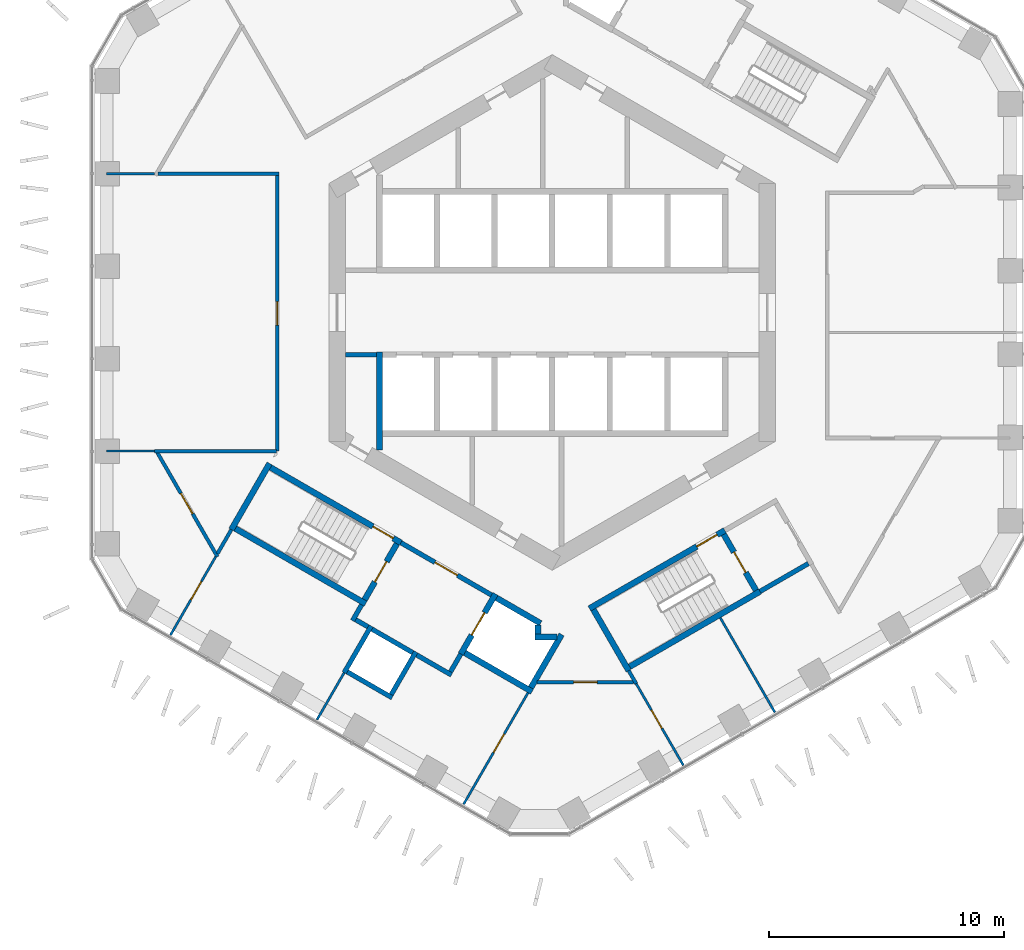
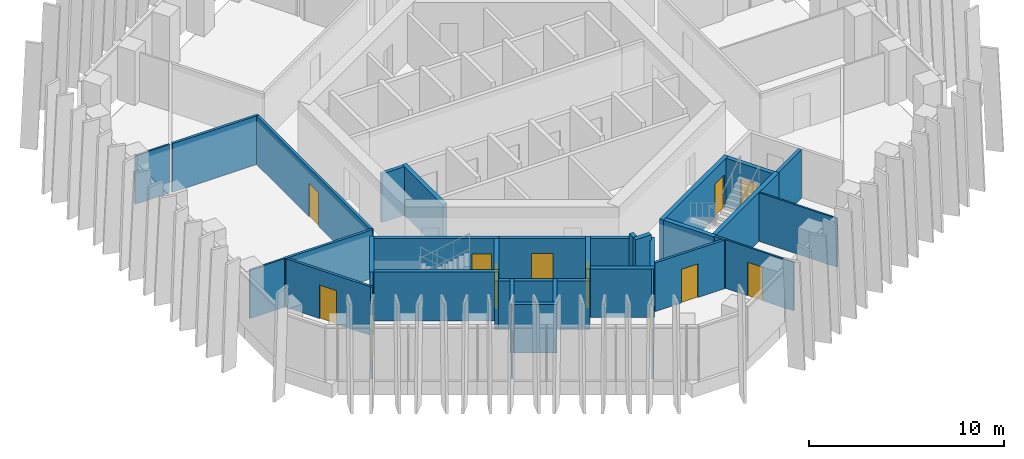
# One storey, part 13 of 19: 40 walls, 12 doors, 12 openings.
"""IFC4 building model written with IfcOpenShell, lengths in metres."""

from ifc_helpers import new_model, si_unit, direction, frame, frame_2d, origin, place, context, subcontext, project, spatial, rectangle, extrude, material, layer, layer_set, type_object, element, fill, save


model = new_model("IFC4")

# Units and contexts
model_context = context("Model", 3, precision=1e-05, world=origin(), true_north=direction((0.0, 1.0)))
body_context = subcontext(model_context, "Body", "Model", "MODEL_VIEW")
ifc_project = project(units=[si_unit("LENGTHUNIT", "METRE"), si_unit("AREAUNIT", "SQUARE_METRE"), si_unit("VOLUMEUNIT", "CUBIC_METRE"), si_unit("PLANEANGLEUNIT", "RADIAN"), si_unit("MASSUNIT", "GRAM", prefix="KILO")], contexts=[model_context])

# Site, building, storey
site_placement = place(None, origin())
site = spatial("IfcSite", under=ifc_project, at=site_placement, CompositionType="ELEMENT")
building_placement = place(site_placement, origin())
building = spatial("IfcBuilding", under=site, at=building_placement, Name="Ayvan Gate Tower", CompositionType="ELEMENT")
storey_placement = place(building_placement, frame((0.0, 0.0, 113.699951171875)))
storey = spatial("IfcBuildingStorey", under=building, at=storey_placement, Name="L30", CompositionType="ELEMENT", Elevation=113.699951171875)

# Wall
ifc_material_1 = material(Name="Plasterboard on steel stud", Category="steel")
ifc_layer_1 = layer(ifc_material_1, 0.14990234375)
ifc_layer_set_1 = layer_set([ifc_layer_1], Name="Plasterboard on steel stud")
wall_type_1 = type_object("IfcWallType", Name="WT-CORR-150", PredefinedType="PARTITIONING", material=ifc_layer_set_1)
wall_1_placement = place(storey_placement, frame((-16.91015625, -5.895751953125, 0.0), z_axis=(0.0, 0.0, 1.0), x_axis=(1.0, 0.0, 0.0)))
element("IfcWall", 1, at=wall_1_placement, inside=storey, type_object=wall_type_1, Name="IW-L30-000", PredefinedType="PARTITIONING", context=body_context, shape_type="SweptSolid", body=[
    extrude(rectangle(XDim=5.1923828125, YDim=0.14990234375, at=frame_2d((2.59619140625, 0.0))), origin(), (0.0, 0.0, 1.0), 3.050048828125),
])

# Wall, opening, door
wall_2_placement = place(storey_placement, frame((-14.239013671875, -10.392578125, 0.0), z_axis=(0.0, 0.0, 1.0), x_axis=(-0.499977120269, 0.866038613, 0.0)))
wall_2 = element("IfcWall", 2, at=wall_2_placement, inside=storey, type_object=wall_type_1, Name="IW-L30-005", PredefinedType="PARTITIONING", context=body_context, shape_type="SweptSolid", body=[
    extrude(rectangle(XDim=5.117431640625, YDim=0.14990234375, at=frame_2d((2.55859375, 0.0))), origin(), (0.0, 0.0, 1.0), 3.050048828125),
])
opening_1_placement = place(wall_2_placement, frame((2.113525390625, 0.0, 0.0)))
opening_1 = element("IfcOpeningElement", 3, at=opening_1_placement, cuts=wall_2, Name="Opening L30-D23", PredefinedType="OPENING", context=body_context, shape_type="SweptSolid", body=[
    extrude(rectangle(XDim=1.0, YDim=2.10009765625, at=frame_2d((0.5, 1.050048828125))), frame((0.0, 0.0849609375, 0.0), z_axis=(0.0, -1.0, 0.0), x_axis=(1.0, 0.0, 0.0)), (0.0, 0.0, 1.0), 0.169921875),
])
ifc_material_2 = material(Name="Timber door leaf", Category="wood")
door_type_1 = type_object("IfcDoorType", Name="DT-1000", OperationType="NOTDEFINED", PredefinedType="DOOR", material=ifc_material_2)
door_1_placement = place(opening_1_placement, origin())
door_1 = element("IfcDoor", 4, at=door_1_placement, inside=storey, type_object=door_type_1, Name="ID-L30-023", OperationType="SINGLE_SWING_LEFT", OverallHeight=2.10009765625, OverallWidth=1.0, PredefinedType="DOOR", context=body_context, shape_type="SweptSolid", body=[
    extrude(rectangle(XDim=1.0, YDim=2.10009765625, at=frame_2d((0.5, 1.050048828125))), frame((0.0, 0.02490234375, 0.0), z_axis=(0.0, -1.0, 0.0), x_axis=(1.0, 0.0, 0.0)), (0.0, 0.0, 1.0), 0.050048828125),
])
fill(opening_1, door_1)

# Walls
wall_3_placement = place(storey_placement, frame((-13.647705078125, -9.23876953125, 0.0), z_axis=(0.0, 0.0, 1.0), x_axis=(-0.500091824179, -0.865972382579, 0.0)))
element("IfcWall", 5, at=wall_3_placement, inside=storey, type_object=wall_type_1, Name="IW-L30-008", PredefinedType="PARTITIONING", context=body_context, shape_type="SweptSolid", body=[
    extrude(rectangle(XDim=1.182373046875, YDim=0.14990234375, at=frame_2d((0.59130859375, 0.0))), origin(), (0.0, 0.0, 1.0), 3.050048828125),
])
wall_4_placement = place(storey_placement, frame((-11.625, 5.895751953125, 0.0), z_axis=(0.0, 0.0, 1.0), x_axis=(-1.0, 0.0, 0.0)))
element("IfcWall", 6, at=wall_4_placement, inside=storey, type_object=wall_type_1, Name="IW-L30-011", PredefinedType="PARTITIONING", context=body_context, shape_type="SweptSolid", body=[
    extrude(rectangle(XDim=5.135009765625, YDim=0.14990234375, at=frame_2d((2.5673828125, 0.0))), origin(), (0.0, 0.0, 1.0), 3.050048828125),
])

# Wall, opening, door
wall_5_placement = place(storey_placement, frame((-11.699951171875, -5.89599609375, 0.0), z_axis=(0.0, 0.0, 1.0), x_axis=(0.0, 1.0, 0.0)))
wall_5 = element("IfcWall", 7, at=wall_5_placement, inside=storey, type_object=wall_type_1, Name="IW-L30-012", PredefinedType="PARTITIONING", context=body_context, shape_type="SweptSolid", body=[
    extrude(rectangle(XDim=11.716796875, YDim=0.14990234375, at=frame_2d((5.8583984375, 0.0))), origin(), (0.0, 0.0, 1.0), 3.050048828125),
])
opening_2_placement = place(wall_5_placement, frame((5.3583984375, 0.0, 0.0)))
opening_2 = element("IfcOpeningElement", 8, at=opening_2_placement, cuts=wall_5, Name="Opening L30-D22", PredefinedType="OPENING", context=body_context, shape_type="SweptSolid", body=[
    extrude(rectangle(XDim=1.0, YDim=2.10009765625, at=frame_2d((0.5, 1.050048828125))), frame((0.0, 0.0849609375, 0.0), z_axis=(0.0, -1.0, 0.0), x_axis=(1.0, 0.0, 0.0)), (0.0, 0.0, 1.0), 0.169921875),
])
door_2_placement = place(opening_2_placement, origin())
door_2 = element("IfcDoor", 9, at=door_2_placement, inside=storey, type_object=door_type_1, Name="ID-L30-022", OperationType="SINGLE_SWING_RIGHT", OverallHeight=2.10009765625, OverallWidth=1.0, PredefinedType="DOOR", context=body_context, shape_type="SweptSolid", body=[
    extrude(rectangle(XDim=1.0, YDim=2.10009765625, at=frame_2d((0.5, 1.050048828125))), frame((0.0, 0.02490234375, 0.0), z_axis=(0.0, -1.0, 0.0), x_axis=(1.0, 0.0, 0.0)), (0.0, 0.0, 1.0), 0.050048828125),
])
fill(opening_2, door_2)

# Wall
wall_6_placement = place(storey_placement, frame((3.255615234375, -15.23876953125, 0.0), z_axis=(0.0, 0.0, 1.0), x_axis=(0.499876722092, -0.86609656662, 0.0)))
element("IfcWall", 10, at=wall_6_placement, inside=storey, type_object=wall_type_1, Name="IW-L30-067", PredefinedType="PARTITIONING", context=body_context, shape_type="SweptSolid", body=[
    extrude(rectangle(XDim=0.639404296875, YDim=0.14990234375, at=frame_2d((0.31982421875, 0.0))), origin(), (0.0, 0.0, 1.0), 3.050048828125),
])

# Wall, opening, door
wall_7_placement = place(storey_placement, frame((3.462646484375, -15.7275390625, 0.0), z_axis=(0.0, 0.0, 1.0), x_axis=(-1.0, 0.0, 0.0)))
wall_7 = element("IfcWall", 11, at=wall_7_placement, inside=storey, type_object=wall_type_1, Name="IW-L30-070", PredefinedType="PARTITIONING", context=body_context, shape_type="SweptSolid", body=[
    extrude(rectangle(XDim=4.10400390625, YDim=0.14990234375, at=frame_2d((2.052001953125, 0.0))), origin(), (0.0, 0.0, 1.0), 3.050048828125),
])
opening_3_placement = place(wall_7_placement, frame((1.552001953125, 0.0, 0.0)))
opening_3 = element("IfcOpeningElement", 12, at=opening_3_placement, cuts=wall_7, Name="Opening L30-D25", PredefinedType="OPENING", context=body_context, shape_type="SweptSolid", body=[
    extrude(rectangle(XDim=1.0, YDim=2.10009765625, at=frame_2d((0.5, 1.050048828125))), frame((0.0, 0.0849609375, 0.0), z_axis=(0.0, -1.0, 0.0), x_axis=(1.0, 0.0, 0.0)), (0.0, 0.0, 1.0), 0.169921875),
])
door_3_placement = place(opening_3_placement, origin())
door_3 = element("IfcDoor", 13, at=door_3_placement, inside=storey, type_object=door_type_1, Name="ID-L30-025", OperationType="SINGLE_SWING_LEFT", OverallHeight=2.10009765625, OverallWidth=1.0, PredefinedType="DOOR", context=body_context, shape_type="SweptSolid", body=[
    extrude(rectangle(XDim=1.0, YDim=2.10009765625, at=frame_2d((0.5, 1.050048828125))), frame((0.0, 0.02490234375, 0.0), z_axis=(0.0, -1.0, 0.0), x_axis=(1.0, 0.0, 0.0)), (0.0, 0.0, 1.0), 0.050048828125),
])
fill(opening_3, door_3)

# Walls
ifc_layer_2 = layer(ifc_material_1, 0.10009765625)
ifc_layer_set_2 = layer_set([ifc_layer_2], Name="Plasterboard on steel stud")
wall_type_2 = type_object("IfcWallType", Name="WT-PART-100", PredefinedType="PARTITIONING", material=ifc_layer_set_2)
wall_8_placement = place(storey_placement, frame((-16.91015625, 5.895751953125, 0.0), z_axis=(0.0, 0.0, 1.0), x_axis=(-1.0, 0.0, 0.0)))
element("IfcWall", 14, at=wall_8_placement, inside=storey, type_object=wall_type_2, Name="IW-L30-001", PredefinedType="PARTITIONING", context=body_context, shape_type="SweptSolid", body=[
    extrude(rectangle(XDim=2.041259765625, YDim=0.10009765625, at=frame_2d((1.0205078125, 0.0))), origin(), (0.0, 0.0, 1.0), 3.050048828125),
])
wall_9_placement = place(storey_placement, frame((-16.909912109375, -5.895751953125, 0.0), z_axis=(0.0, 0.0, 1.0), x_axis=(-1.0, 0.0, 0.0)))
element("IfcWall", 15, at=wall_9_placement, inside=storey, type_object=wall_type_2, Name="IW-L30-003", PredefinedType="PARTITIONING", context=body_context, shape_type="SweptSolid", body=[
    extrude(rectangle(XDim=2.04150390625, YDim=0.10009765625, at=frame_2d((1.020751953125, 0.0))), origin(), (0.0, 0.0, 1.0), 3.050048828125),
])

# Wall, opening, door
wall_10_placement = place(storey_placement, frame((-14.31396484375, -10.392578125, 0.0), z_axis=(0.0, 0.0, 1.0), x_axis=(-0.500013417072, -0.866017657296, 0.0)))
wall_10 = element("IfcWall", 16, at=wall_10_placement, inside=storey, type_object=wall_type_2, Name="IW-L30-006", PredefinedType="PARTITIONING", context=body_context, shape_type="SweptSolid", body=[
    extrude(rectangle(XDim=3.849609375, YDim=0.10009765625, at=frame_2d((1.9248046875, 0.0))), origin(), (0.0, 0.0, 1.0), 3.050048828125),
])
opening_4_placement = place(wall_10_placement, frame((1.214111328125, 0.0, 0.0)))
opening_4 = element("IfcOpeningElement", 17, at=opening_4_placement, cuts=wall_10, Name="Opening L30-D24", PredefinedType="OPENING", context=body_context, shape_type="SweptSolid", body=[
    extrude(rectangle(XDim=0.89990234375, YDim=2.10009765625, at=frame_2d((0.449951171875, 1.050048828125))), frame((0.0, 0.06005859375, 0.0), z_axis=(0.0, -1.0, 0.0), x_axis=(1.0, 0.0, 0.0)), (0.0, 0.0, 1.0), 0.1201171875),
])
door_type_2 = type_object("IfcDoorType", Name="DT-900", OperationType="NOTDEFINED", PredefinedType="DOOR", material=ifc_material_2)
door_4_placement = place(opening_4_placement, origin())
door_4 = element("IfcDoor", 18, at=door_4_placement, inside=storey, type_object=door_type_2, Name="ID-L30-024", OperationType="SINGLE_SWING_RIGHT", OverallHeight=2.10009765625, OverallWidth=0.89990234375, PredefinedType="DOOR", context=body_context, shape_type="SweptSolid", body=[
    extrude(rectangle(XDim=0.89990234375, YDim=2.10009765625, at=frame_2d((0.449951171875, 1.050048828125))), frame((0.0, 0.02490234375, 0.0), z_axis=(0.0, -1.0, 0.0), x_axis=(1.0, 0.0, 0.0)), (0.0, 0.0, 1.0), 0.050048828125),
])
fill(opening_4, door_4)

# Wall
wall_11_placement = place(storey_placement, frame((-8.85009765625, -15.32861328125, 0.0), z_axis=(0.0, 0.0, 1.0), x_axis=(-0.500009533716, -0.866019899421, 0.0)))
element("IfcWall", 19, at=wall_11_placement, inside=storey, type_object=wall_type_2, Name="IW-L30-016", PredefinedType="PARTITIONING", context=body_context, shape_type="SweptSolid", body=[
    extrude(rectangle(XDim=2.306640625, YDim=0.10009765625, at=frame_2d((1.1533203125, 0.0))), origin(), (0.0, 0.0, 1.0), 3.050048828125),
])

# Wall, opening, door
wall_12_placement = place(storey_placement, frame((-3.767822265625, -20.92626953125, 0.0), z_axis=(0.0, 0.0, 1.0), x_axis=(0.499980760091, 0.866036511666, 0.0)))
wall_12 = element("IfcWall", 20, at=wall_12_placement, inside=storey, type_object=wall_type_2, Name="IW-L30-037", PredefinedType="PARTITIONING", context=body_context, shape_type="SweptSolid", body=[
    extrude(rectangle(XDim=5.481689453125, YDim=0.10009765625, at=frame_2d((2.74072265625, 0.0))), origin(), (0.0, 0.0, 1.0), 3.050048828125),
])
opening_5_placement = place(wall_12_placement, frame((2.55126953125, 0.0, 0.0)))
opening_5 = element("IfcOpeningElement", 21, at=opening_5_placement, cuts=wall_12, Name="Opening L30-D26", PredefinedType="OPENING", context=body_context, shape_type="SweptSolid", body=[
    extrude(rectangle(XDim=0.89990234375, YDim=2.10009765625, at=frame_2d((0.449951171875, 1.050048828125))), frame((0.0, 0.06005859375, 0.0), z_axis=(0.0, -1.0, 0.0), x_axis=(1.0, 0.0, 0.0)), (0.0, 0.0, 1.0), 0.1201171875),
])
door_5_placement = place(opening_5_placement, origin())
door_5 = element("IfcDoor", 22, at=door_5_placement, inside=storey, type_object=door_type_2, Name="ID-L30-026", OperationType="SINGLE_SWING_RIGHT", OverallHeight=2.10009765625, OverallWidth=0.89990234375, PredefinedType="DOOR", context=body_context, shape_type="SweptSolid", body=[
    extrude(rectangle(XDim=0.89990234375, YDim=2.10009765625, at=frame_2d((0.449951171875, 1.050048828125))), frame((0.0, 0.02490234375, 0.0), z_axis=(0.0, -1.0, 0.0), x_axis=(1.0, 0.0, 0.0)), (0.0, 0.0, 1.0), 0.050048828125),
])
fill(opening_5, door_5)

wall_13_placement = place(storey_placement, frame((3.5751953125, -15.79248046875, 0.0), z_axis=(0.0, 0.0, 1.0), x_axis=(0.50001068386, -0.866019235367, 0.0)))
wall_13 = element("IfcWall", 23, at=wall_13_placement, inside=storey, type_object=wall_type_2, Name="IW-L30-071", PredefinedType="PARTITIONING", context=body_context, shape_type="SweptSolid", body=[
    extrude(rectangle(XDim=4.00830078125, YDim=0.10009765625, at=frame_2d((2.004150390625, 0.0))), origin(), (0.0, 0.0, 1.0), 3.050048828125),
])
opening_6_placement = place(wall_13_placement, frame((1.293701171875, 0.0, 0.0)))
opening_6 = element("IfcOpeningElement", 24, at=opening_6_placement, cuts=wall_13, Name="Opening L30-D27", PredefinedType="OPENING", context=body_context, shape_type="SweptSolid", body=[
    extrude(rectangle(XDim=0.89990234375, YDim=2.10009765625, at=frame_2d((0.449951171875, 1.050048828125))), frame((0.0, 0.06005859375, 0.0), z_axis=(0.0, -1.0, 0.0), x_axis=(1.0, 0.0, 0.0)), (0.0, 0.0, 1.0), 0.1201171875),
])
door_6_placement = place(opening_6_placement, origin())
door_6 = element("IfcDoor", 25, at=door_6_placement, inside=storey, type_object=door_type_2, Name="ID-L30-027", OperationType="SINGLE_SWING_LEFT", OverallHeight=2.10009765625, OverallWidth=0.89990234375, PredefinedType="DOOR", context=body_context, shape_type="SweptSolid", body=[
    extrude(rectangle(XDim=0.89990234375, YDim=2.10009765625, at=frame_2d((0.449951171875, 1.050048828125))), frame((0.0, 0.02490234375, 0.0), z_axis=(0.0, -1.0, 0.0), x_axis=(1.0, 0.0, 0.0)), (0.0, 0.0, 1.0), 0.050048828125),
])
fill(opening_6, door_6)

# Walls
wall_14_placement = place(storey_placement, frame((7.152587890625, -12.98876953125, 0.0), z_axis=(0.0, 0.0, 1.0), x_axis=(0.499992256698, -0.866029874336, 0.0)))
element("IfcWall", 26, at=wall_14_placement, inside=storey, type_object=wall_type_2, Name="IW-L30-078", PredefinedType="PARTITIONING", context=body_context, shape_type="SweptSolid", body=[
    extrude(rectangle(XDim=4.6474609375, YDim=0.10009765625, at=frame_2d((2.32373046875, 0.0))), origin(), (0.0, 0.0, 1.0), 3.050048828125),
])
ifc_layer_3 = layer(ifc_material_1, 0.199951171875)
ifc_layer_set_3 = layer_set([ifc_layer_3], Name="Plasterboard on steel stud")
wall_type_3 = type_object("IfcWallType", Name="WT-PLUMB-200", PredefinedType="PLUMBINGWALL", material=ifc_layer_set_3)
wall_15_placement = place(storey_placement, frame((-8.85009765625, -15.32861328125, 0.0), z_axis=(0.0, 0.0, 1.0), x_axis=(0.500077740698, 0.865980515519, 0.0)))
element("IfcWall", 27, at=wall_15_placement, inside=storey, type_object=wall_type_3, Name="IW-L30-014", PredefinedType="PLUMBINGWALL", context=body_context, shape_type="SweptSolid", body=[
    extrude(rectangle(XDim=2.300048828125, YDim=0.199951171875, at=frame_2d((1.14990234375, 0.0))), origin(), (0.0, 0.0, 1.0), 3.050048828125),
])
wall_16_placement = place(storey_placement, frame((-6.80810546875, -16.39208984375, 0.0), z_axis=(0.0, 0.0, 1.0), x_axis=(-0.866008176907, 0.50002983664, 0.0)))
element("IfcWall", 28, at=wall_16_placement, inside=storey, type_object=wall_type_3, Name="IW-L30-025", PredefinedType="PLUMBINGWALL", context=body_context, shape_type="SweptSolid", body=[
    extrude(rectangle(XDim=2.199951171875, YDim=0.199951171875, at=frame_2d((1.10009765625, 0.0))), origin(), (0.0, 0.0, 1.0), 3.050048828125),
])
wall_17_placement = place(storey_placement, frame((-5.794677734375, -14.436767578125, 0.0), z_axis=(0.0, 0.0, 1.0), x_axis=(-0.500027713859, -0.866009402589, 0.0)))
element("IfcWall", 29, at=wall_17_placement, inside=storey, type_object=wall_type_3, Name="IW-L30-028", PredefinedType="PLUMBINGWALL", context=body_context, shape_type="SweptSolid", body=[
    extrude(rectangle(XDim=2.10009765625, YDim=0.199951171875, at=frame_2d((1.050048828125, 0.0))), origin(), (0.0, 0.0, 1.0), 3.050048828125),
])
wall_18_placement = place(storey_placement, frame((-5.931396484375, -14.473388671875, 0.0), z_axis=(0.0, 0.0, 1.0), x_axis=(-0.866041268327, 0.499972520799, 0.0)))
element("IfcWall", 30, at=wall_18_placement, inside=storey, type_object=wall_type_3, Name="IW-L30-029", PredefinedType="PLUMBINGWALL", context=body_context, shape_type="SweptSolid", body=[
    extrude(rectangle(XDim=2.0, YDim=0.199951171875, at=frame_2d((1.0, 0.0))), origin(), (0.0, 0.0, 1.0), 3.050048828125),
])
ifc_layer_4 = layer(ifc_material_1, 0.199951171875)
ifc_layer_set_4 = layer_set([ifc_layer_4], Name="Plasterboard on steel stud")
wall_type_4 = type_object("IfcWallType", Name="WT-RATED-200", PredefinedType="PARTITIONING", material=ifc_layer_set_4)
wall_19_placement = place(storey_placement, frame((-8.492919921875, -13.110107421875, 0.0), z_axis=(0.0, 0.0, 1.0), x_axis=(0.500067724834, 0.865986299303, 0.0)))
element("IfcWall", 31, at=wall_19_placement, inside=storey, type_object=wall_type_4, Name="IW-L30-017", PredefinedType="PARTITIONING", context=body_context, shape_type="SweptSolid", body=[
    extrude(rectangle(XDim=0.775390625, YDim=0.199951171875, at=frame_2d((0.3876953125, 0.0))), origin(), (0.0, 0.0, 1.0), 3.050048828125),
])
wall_20_placement = place(storey_placement, frame((-7.83642578125, -13.373291015625, 0.0), z_axis=(0.0, 0.0, 1.0), x_axis=(-0.866232998003, 0.499640263761, 0.0)))
element("IfcWall", 32, at=wall_20_placement, inside=storey, type_object=wall_type_4, Name="IW-L30-019", PredefinedType="PARTITIONING", context=body_context, shape_type="SweptSolid", body=[
    extrude(rectangle(XDim=0.60009765625, YDim=0.199951171875, at=frame_2d((0.300048828125, 0.0))), origin(), (0.0, 0.0, 1.0), 3.050048828125),
])
wall_21_placement = place(storey_placement, frame((-7.474853515625, -1.800048828125, 0.0), z_axis=(0.0, 0.0, 1.0), x_axis=(-1.0, 0.0, 0.0)))
element("IfcWall", 33, at=wall_21_placement, inside=storey, type_object=wall_type_4, Name="IW-L30-024", PredefinedType="PARTITIONING", context=body_context, shape_type="SweptSolid", body=[
    extrude(rectangle(XDim=1.3251953125, YDim=0.199951171875, at=frame_2d((0.66259765625, 0.0))), origin(), (0.0, 0.0, 1.0), 3.050048828125),
])

# Wall, opening, door
wall_22_placement = place(storey_placement, frame((-6.4345703125, -9.794921875, 0.0), z_axis=(0.0, 0.0, 1.0), x_axis=(0.866012907634, -0.500021643343, 0.0)))
wall_22 = element("IfcWall", 34, at=wall_22_placement, inside=storey, type_object=wall_type_4, Name="IW-L30-027", PredefinedType="PARTITIONING", context=body_context, shape_type="SweptSolid", body=[
    extrude(rectangle(XDim=4.449951171875, YDim=0.199951171875, at=frame_2d((2.22509765625, 0.0))), origin(), (0.0, 0.0, 1.0), 3.050048828125),
])
opening_7_placement = place(wall_22_placement, frame((1.675048828125, 0.0, 0.0)))
opening_7 = element("IfcOpeningElement", 35, at=opening_7_placement, cuts=wall_22, Name="Opening L30-D12", PredefinedType="OPENING", context=body_context, shape_type="SweptSolid", body=[
    extrude(rectangle(XDim=1.10009765625, YDim=2.10009765625, at=frame_2d((0.550048828125, 1.050048828125))), frame((0.0, 0.10986328125, 0.0), z_axis=(0.0, -1.0, 0.0), x_axis=(1.0, 0.0, 0.0)), (0.0, 0.0, 1.0), 0.219970703125),
])
door_type_3 = type_object("IfcDoorType", Name="DT-1100", OperationType="NOTDEFINED", PredefinedType="DOOR", material=ifc_material_2)
door_7_placement = place(opening_7_placement, origin())
door_7 = element("IfcDoor", 36, at=door_7_placement, inside=storey, type_object=door_type_3, Name="ID-L30-012", OperationType="SINGLE_SWING_RIGHT", OverallHeight=2.10009765625, OverallWidth=1.10009765625, PredefinedType="DOOR", context=body_context, shape_type="SweptSolid", body=[
    extrude(rectangle(XDim=1.10009765625, YDim=2.10009765625, at=frame_2d((0.550048828125, 1.050048828125))), frame((0.0, 0.02490234375, 0.0), z_axis=(0.0, -1.0, 0.0), x_axis=(1.0, 0.0, 0.0)), (0.0, 0.0, 1.0), 0.050048828125),
])
fill(opening_7, door_7)

# Walls
wall_23_placement = place(storey_placement, frame((-4.285888671875, -15.42333984375, 0.0), z_axis=(0.0, 0.0, 1.0), x_axis=(-0.866025371046, 0.500000056704, 0.0)))
element("IfcWall", 37, at=wall_23_placement, inside=storey, type_object=wall_type_4, Name="IW-L30-034", PredefinedType="PARTITIONING", context=body_context, shape_type="SweptSolid", body=[
    extrude(rectangle(XDim=1.7001953125, YDim=0.199951171875, at=frame_2d((0.85009765625, 0.0))), origin(), (0.0, 0.0, 1.0), 3.050048828125),
])
wall_24_placement = place(storey_placement, frame((-3.885009765625, -14.52880859375, 0.0), z_axis=(0.0, 0.0, 1.0), x_axis=(-0.499859285417, -0.866106630146, 0.0)))
element("IfcWall", 38, at=wall_24_placement, inside=storey, type_object=wall_type_4, Name="IW-L30-036", PredefinedType="PARTITIONING", context=body_context, shape_type="SweptSolid", body=[
    extrude(rectangle(XDim=0.875244140625, YDim=0.199951171875, at=frame_2d((0.4375, 0.0))), origin(), (0.0, 0.0, 1.0), 3.050048828125),
])
wall_25_placement = place(storey_placement, frame((10.900634765625, -10.6806640625, 0.0), z_axis=(0.0, 0.0, 1.0), x_axis=(-0.866007538022, -0.500030943131, 0.0)))
element("IfcWall", 39, at=wall_25_placement, inside=storey, type_object=wall_type_4, Name="IW-L30-090", PredefinedType="PARTITIONING", context=body_context, shape_type="SweptSolid", body=[
    extrude(rectangle(XDim=2.374755859375, YDim=0.199951171875, at=frame_2d((1.1875, 0.0))), origin(), (0.0, 0.0, 1.0), 3.050048828125),
])
ifc_material_3 = material(Name="Concrete C50/60", Category="concrete")
ifc_layer_5 = layer(ifc_material_3, 0.25)
ifc_layer_set_5 = layer_set([ifc_layer_5], Name="Concrete C50/60")
wall_type_5 = type_object("IfcWallType", Name="WT-RC-250", PredefinedType="SHEAR", material=ifc_layer_set_5)
wall_26_placement = place(storey_placement, frame((-13.64794921875, -9.23876953125, 0.0), z_axis=(0.0, 0.0, 1.0), x_axis=(0.500017246033, 0.866015446554, 0.0)))
element("IfcWall", 40, at=wall_26_placement, inside=storey, type_object=wall_type_5, Name="IW-L30-007", PredefinedType="SHEAR", context=body_context, shape_type="SweptSolid", body=[
    extrude(rectangle(XDim=3.25, YDim=0.25, at=frame_2d((1.625, 0.0))), origin(), (0.0, 0.0, 1.0), 3.050048828125),
])

# Wall, opening, door
wall_27_placement = place(storey_placement, frame((-11.97705078125, -6.594970703125, 0.0), z_axis=(0.0, 0.0, 1.0), x_axis=(0.866025499775, -0.499999833739, 0.0)))
wall_27 = element("IfcWall", 41, at=wall_27_placement, inside=storey, type_object=wall_type_5, Name="IW-L30-010", PredefinedType="SHEAR", context=body_context, shape_type="SweptSolid", body=[
    extrude(rectangle(XDim=6.39990234375, YDim=0.25, at=frame_2d((3.199951171875, 0.0))), origin(), (0.0, 0.0, 1.0), 3.050048828125),
])
opening_8_placement = place(wall_27_placement, frame((5.02490234375, 0.0, 0.0)))
opening_8 = element("IfcOpeningElement", 42, at=opening_8_placement, cuts=wall_27, Name="Opening L30-D10", PredefinedType="OPENING", context=body_context, shape_type="SweptSolid", body=[
    extrude(rectangle(XDim=1.0, YDim=2.10009765625, at=frame_2d((0.5, 1.050048828125))), frame((0.0, 0.135009765625, 0.0), z_axis=(0.0, -1.0, 0.0), x_axis=(1.0, 0.0, 0.0)), (0.0, 0.0, 1.0), 0.27001953125),
])
door_8_placement = place(opening_8_placement, origin())
door_8 = element("IfcDoor", 43, at=door_8_placement, inside=storey, type_object=door_type_1, Name="ID-L30-010", OperationType="SINGLE_SWING_RIGHT", OverallHeight=2.10009765625, OverallWidth=1.0, PredefinedType="DOOR", context=body_context, shape_type="SweptSolid", body=[
    extrude(rectangle(XDim=1.0, YDim=2.10009765625, at=frame_2d((0.5, 1.050048828125))), frame((0.0, 0.02490234375, 0.0), z_axis=(0.0, -1.0, 0.0), x_axis=(1.0, 0.0, 0.0)), (0.0, 0.0, 1.0), 0.050048828125),
])
fill(opening_8, door_8)

# Walls
wall_28_placement = place(storey_placement, frame((-7.9345703125, -12.39306640625, 0.0), z_axis=(0.0, 0.0, 1.0), x_axis=(-0.866025499775, 0.499999833739, 0.0)))
element("IfcWall", 44, at=wall_28_placement, inside=storey, type_object=wall_type_5, Name="IW-L30-018", PredefinedType="SHEAR", context=body_context, shape_type="SweptSolid", body=[
    extrude(rectangle(XDim=6.39990234375, YDim=0.25, at=frame_2d((3.199951171875, 0.0))), origin(), (0.0, 0.0, 1.0), 3.050048828125),
])
wall_29_placement = place(storey_placement, frame((-7.35009765625, -5.845703125, 0.0), z_axis=(0.0, 0.0, 1.0), x_axis=(0.0, 1.0, 0.0)))
element("IfcWall", 45, at=wall_29_placement, inside=storey, type_object=wall_type_5, Name="IW-L30-021", PredefinedType="SHEAR", context=body_context, shape_type="SweptSolid", body=[
    extrude(rectangle(XDim=4.170654296875, YDim=0.25, at=frame_2d((2.08544921875, 0.0))), origin(), (0.0, 0.0, 1.0), 3.050048828125),
])

# Wall, opening, door
wall_30_placement = place(storey_placement, frame((-6.605224609375, -9.8408203125, 0.0), z_axis=(0.0, 0.0, 1.0), x_axis=(-0.499996545922, -0.866027397988, 0.0)))
wall_30 = element("IfcWall", 46, at=wall_30_placement, inside=storey, type_object=wall_type_5, Name="IW-L30-026", PredefinedType="SHEAR", context=body_context, shape_type="SweptSolid", body=[
    extrude(rectangle(XDim=2.75, YDim=0.25, at=frame_2d((1.375, 0.0))), origin(), (0.0, 0.0, 1.0), 3.050048828125),
])
opening_9_placement = place(wall_30_placement, frame((0.875, 0.0, 0.0)))
opening_9 = element("IfcOpeningElement", 47, at=opening_9_placement, cuts=wall_30, Name="Opening L30-D11", PredefinedType="OPENING", context=body_context, shape_type="SweptSolid", body=[
    extrude(rectangle(XDim=1.0, YDim=2.10009765625, at=frame_2d((0.5, 1.050048828125))), frame((0.0, 0.135009765625, 0.0), z_axis=(0.0, -1.0, 0.0), x_axis=(1.0, 0.0, 0.0)), (0.0, 0.0, 1.0), 0.27001953125),
])
door_9_placement = place(opening_9_placement, origin())
door_9 = element("IfcDoor", 48, at=door_9_placement, inside=storey, type_object=door_type_1, Name="ID-L30-011", OperationType="SINGLE_SWING_LEFT", OverallHeight=2.10009765625, OverallWidth=1.0, PredefinedType="DOOR", context=body_context, shape_type="SweptSolid", body=[
    extrude(rectangle(XDim=1.0, YDim=2.10009765625, at=frame_2d((0.5, 1.050048828125))), frame((0.0, 0.02490234375, 0.0), z_axis=(0.0, -1.0, 0.0), x_axis=(1.0, 0.0, 0.0)), (0.0, 0.0, 1.0), 0.050048828125),
])
fill(opening_9, door_9)

wall_31_placement = place(storey_placement, frame((-2.409912109375, -11.97412109375, 0.0), z_axis=(0.0, 0.0, 1.0), x_axis=(-0.500001826776, -0.866024349092, 0.0)))
wall_31 = element("IfcWall", 49, at=wall_31_placement, inside=storey, type_object=wall_type_5, Name="IW-L30-044", PredefinedType="SHEAR", context=body_context, shape_type="SweptSolid", body=[
    extrude(rectangle(XDim=2.9501953125, YDim=0.25, at=frame_2d((1.47509765625, 0.0))), origin(), (0.0, 0.0, 1.0), 3.050048828125),
])
opening_10_placement = place(wall_31_placement, frame((0.925048828125, 0.0, 0.0)))
opening_10 = element("IfcOpeningElement", 50, at=opening_10_placement, cuts=wall_31, Name="Opening L30-LD-FF2", PredefinedType="OPENING", context=body_context, shape_type="SweptSolid", body=[
    extrude(rectangle(XDim=1.10009765625, YDim=2.10009765625, at=frame_2d((0.550048828125, 1.050048828125))), frame((0.0, 0.135009765625, 0.0), z_axis=(0.0, -1.0, 0.0), x_axis=(1.0, 0.0, 0.0)), (0.0, 0.0, 1.0), 0.27001953125),
])
ifc_material_4 = material(Name="Stainless steel landing door", Category="steel")
door_type_4 = type_object("IfcDoorType", Name="DT-LANDING-1100", OperationType="SLIDING_TO_LEFT", PredefinedType="DOOR", material=ifc_material_4)
door_10_placement = place(opening_10_placement, origin())
door_10 = element("IfcDoor", 51, at=door_10_placement, inside=storey, type_object=door_type_4, Name="ID-L30-013", OperationType="SLIDING_TO_LEFT", OverallHeight=2.10009765625, OverallWidth=1.10009765625, PredefinedType="DOOR", context=body_context, shape_type="SweptSolid", body=[
    extrude(rectangle(XDim=1.10009765625, YDim=2.10009765625, at=frame_2d((0.550048828125, 1.050048828125))), frame((0.0, 0.02490234375, 0.0), z_axis=(0.0, -1.0, 0.0), x_axis=(1.0, 0.0, 0.0)), (0.0, 0.0, 1.0), 0.050048828125),
])
fill(opening_10, door_10)

# Walls
wall_32_placement = place(storey_placement, frame((-2.3642578125, -12.14501953125, 0.0), z_axis=(0.0, 0.0, 1.0), x_axis=(0.86603892542, -0.499976579108, 0.0)))
element("IfcWall", 52, at=wall_32_placement, inside=storey, type_object=wall_type_5, Name="IW-L30-045", PredefinedType="SHEAR", context=body_context, shape_type="SweptSolid", body=[
    extrude(rectangle(XDim=2.162109375, YDim=0.25, at=frame_2d((1.0810546875, 0.0))), origin(), (0.0, 0.0, 1.0), 3.050048828125),
])
wall_33_placement = place(storey_placement, frame((-0.8564453125, -16.13330078125, 0.0), z_axis=(0.0, 0.0, 1.0), x_axis=(-0.866021716278, 0.500006386895, 0.0)))
element("IfcWall", 53, at=wall_33_placement, inside=storey, type_object=wall_type_5, Name="IW-L30-049", PredefinedType="SHEAR", context=body_context, shape_type="SweptSolid", body=[
    extrude(rectangle(XDim=3.2998046875, YDim=0.25, at=frame_2d((1.64990234375, 0.0))), origin(), (0.0, 0.0, 1.0), 3.050048828125),
])
wall_34_placement = place(storey_placement, frame((-0.902099609375, -15.96240234375, 0.0), z_axis=(0.0, 0.0, 1.0), x_axis=(0.499981517636, 0.866036074319, 0.0)))
element("IfcWall", 54, at=wall_34_placement, inside=storey, type_object=wall_type_5, Name="IW-L30-050", PredefinedType="SHEAR", context=body_context, shape_type="SweptSolid", body=[
    extrude(rectangle(XDim=2.6103515625, YDim=0.25, at=frame_2d((1.30517578125, 0.0))), origin(), (0.0, 0.0, 1.0), 3.050048828125),
])
wall_35_placement = place(storey_placement, frame((-0.72509765625, -13.81005859375, 0.0), z_axis=(0.0, 0.0, 1.0), x_axis=(1.0, 0.0, 0.0)))
element("IfcWall", 55, at=wall_35_placement, inside=storey, type_object=wall_type_5, Name="IW-L30-051", PredefinedType="SHEAR", context=body_context, shape_type="SweptSolid", body=[
    extrude(rectangle(XDim=0.940673828125, YDim=0.25, at=frame_2d((0.47021484375, 0.0))), origin(), (0.0, 0.0, 1.0), 3.400146484375),
])
wall_36_placement = place(storey_placement, frame((-0.60009765625, -13.28857421875, 0.0), z_axis=(0.0, 0.0, 1.0), x_axis=(0.0, -1.0, 0.0)))
element("IfcWall", 56, at=wall_36_placement, inside=storey, type_object=wall_type_5, Name="IW-L30-052", PredefinedType="SHEAR", context=body_context, shape_type="SweptSolid", body=[
    extrude(rectangle(XDim=0.396484375, YDim=0.25, at=frame_2d((0.1982421875, 0.0))), origin(), (0.0, 0.0, 1.0), 3.400146484375),
])

# Wall, opening, door
wall_37_placement = place(storey_placement, frame((1.584716796875, -12.594970703125, 0.0), z_axis=(0.0, 0.0, 1.0), x_axis=(0.866036417653, 0.499980922934, 0.0)))
wall_37 = element("IfcWall", 57, at=wall_37_placement, inside=storey, type_object=wall_type_5, Name="IW-L30-062", PredefinedType="SHEAR", context=body_context, shape_type="SweptSolid", body=[
    extrude(rectangle(XDim=6.650146484375, YDim=0.25, at=frame_2d((3.3251953125, 0.0))), origin(), (0.0, 0.0, 1.0), 3.050048828125),
])
opening_11_placement = place(wall_37_placement, frame((5.27490234375, 0.0, 0.0)))
opening_11 = element("IfcOpeningElement", 58, at=opening_11_placement, cuts=wall_37, Name="Opening L30-D14", PredefinedType="OPENING", context=body_context, shape_type="SweptSolid", body=[
    extrude(rectangle(XDim=1.0, YDim=2.10009765625, at=frame_2d((0.5, 1.050048828125))), frame((0.0, 0.135009765625, 0.0), z_axis=(0.0, -1.0, 0.0), x_axis=(1.0, 0.0, 0.0)), (0.0, 0.0, 1.0), 0.27001953125),
])
door_11_placement = place(opening_11_placement, origin())
door_11 = element("IfcDoor", 59, at=door_11_placement, inside=storey, type_object=door_type_1, Name="ID-L30-014", OperationType="SINGLE_SWING_RIGHT", OverallHeight=2.10009765625, OverallWidth=1.0, PredefinedType="DOOR", context=body_context, shape_type="SweptSolid", body=[
    extrude(rectangle(XDim=1.0, YDim=2.10009765625, at=frame_2d((0.5, 1.050048828125))), frame((0.0, 0.02490234375, 0.0), z_axis=(0.0, -1.0, 0.0), x_axis=(1.0, 0.0, 0.0)), (0.0, 0.0, 1.0), 0.050048828125),
])
fill(opening_11, door_11)

# Walls
wall_38_placement = place(storey_placement, frame((3.255615234375, -15.23876953125, 0.0), z_axis=(0.0, 0.0, 1.0), x_axis=(-0.50002537861, 0.866010750942, 0.0)))
element("IfcWall", 60, at=wall_38_placement, inside=storey, type_object=wall_type_5, Name="IW-L30-068", PredefinedType="SHEAR", context=body_context, shape_type="SweptSolid", body=[
    extrude(rectangle(XDim=2.999755859375, YDim=0.25, at=frame_2d((1.5, 0.0))), origin(), (0.0, 0.0, 1.0), 3.050048828125),
])
wall_39_placement = place(storey_placement, frame((3.30126953125, -15.068115234375, 0.0), z_axis=(0.0, 0.0, 1.0), x_axis=(0.866035036182, 0.499983315828, 0.0)))
element("IfcWall", 61, at=wall_39_placement, inside=storey, type_object=wall_type_5, Name="IW-L30-079", PredefinedType="SHEAR", context=body_context, shape_type="SweptSolid", body=[
    extrude(rectangle(XDim=6.400146484375, YDim=0.25, at=frame_2d((3.2001953125, 0.0))), origin(), (0.0, 0.0, 1.0), 3.050048828125),
])

# Wall, opening, door
wall_40_placement = place(storey_placement, frame((7.298095703125, -9.44091796875, 0.0), z_axis=(0.0, 0.0, 1.0), x_axis=(0.500034990121, -0.866005201286, 0.0)))
wall_40 = element("IfcWall", 62, at=wall_40_placement, inside=storey, type_object=wall_type_5, Name="IW-L30-080", PredefinedType="SHEAR", context=body_context, shape_type="SweptSolid", body=[
    extrude(rectangle(XDim=2.749755859375, YDim=0.25, at=frame_2d((1.375, 0.0))), origin(), (0.0, 0.0, 1.0), 3.050048828125),
])
opening_12_placement = place(wall_40_placement, frame((0.875, 0.0, 0.0)))
opening_12 = element("IfcOpeningElement", 63, at=opening_12_placement, cuts=wall_40, Name="Opening L30-D16", PredefinedType="OPENING", context=body_context, shape_type="SweptSolid", body=[
    extrude(rectangle(XDim=1.0, YDim=2.10009765625, at=frame_2d((0.5, 1.050048828125))), frame((0.0, 0.135009765625, 0.0), z_axis=(0.0, -1.0, 0.0), x_axis=(1.0, 0.0, 0.0)), (0.0, 0.0, 1.0), 0.27001953125),
])
door_12_placement = place(opening_12_placement, origin())
door_12 = element("IfcDoor", 64, at=door_12_placement, inside=storey, type_object=door_type_1, Name="ID-L30-016", OperationType="SINGLE_SWING_RIGHT", OverallHeight=2.10009765625, OverallWidth=1.0, PredefinedType="DOOR", context=body_context, shape_type="SweptSolid", body=[
    extrude(rectangle(XDim=1.0, YDim=2.10009765625, at=frame_2d((0.5, 1.050048828125))), frame((0.0, 0.02490234375, 0.0), z_axis=(0.0, -1.0, 0.0), x_axis=(1.0, 0.0, 0.0)), (0.0, 0.0, 1.0), 0.050048828125),
])
fill(opening_12, door_12)

save(model, "model.ifc")
